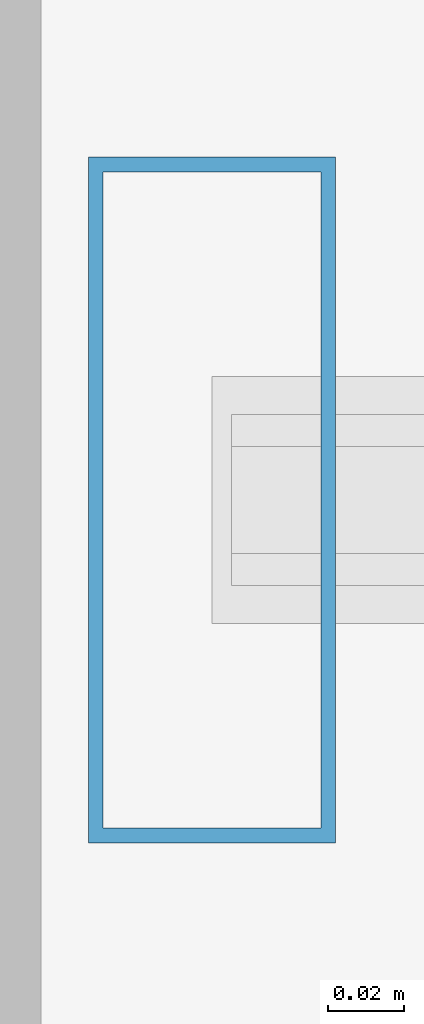
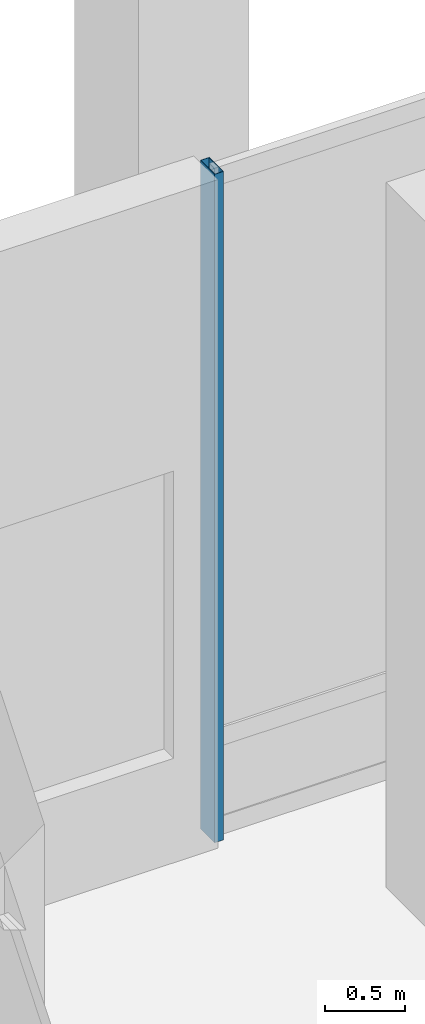
# One storey, part 15 of 36: 1 member, 1 element without a shape of its own.
"""IFC4 building model written with IfcOpenShell, lengths in metres."""

from ifc_helpers import new_model, si_unit, direction, frame, origin, origin_2d, place, context, subcontext, project, spatial, hollow_rectangle, extrude, material, layer, layer_set, material_profile, profile_set, type_object, element, aggregate, save


model = new_model("IFC4")

# Units and contexts
model_context = context("Model", 3, precision=1e-05, world=origin(), true_north=direction((0.0, 1.0)))
body_context = subcontext(model_context, "Body", "Model", "MODEL_VIEW")
ifc_project = project(units=[si_unit("LENGTHUNIT", "METRE"), si_unit("AREAUNIT", "SQUARE_METRE"), si_unit("VOLUMEUNIT", "CUBIC_METRE"), si_unit("PLANEANGLEUNIT", "RADIAN"), si_unit("MASSUNIT", "GRAM", prefix="KILO")], contexts=[model_context])

# Site, building, storey
site_placement = place(None, origin())
site = spatial("IfcSite", under=ifc_project, at=site_placement, CompositionType="ELEMENT")
building_placement = place(site_placement, origin())
building = spatial("IfcBuilding", under=site, at=building_placement, Name="Barlavira Tower and Art Museum", CompositionType="ELEMENT")
storey_placement = place(building_placement, frame((0.0, 0.0, 11.39990234375)))
storey = spatial("IfcBuildingStorey", under=building, at=storey_placement, Name="L02", CompositionType="ELEMENT", Elevation=11.39990234375)

# Curtain wall, member
ifc_material_1 = material(Name="Low-iron coastal laminated glass", Category="glass")
ifc_layer = layer(ifc_material_1, 0.179931640625, Name="Low-iron coastal laminated glass")
ifc_layer_set = layer_set([ifc_layer], Name="Low-iron coastal laminated glass")
curtain_wall_type = type_object("IfcCurtainWallType", Name="Pale-Metal Unitised Curtain Wall Zone 1", PredefinedType="NOTDEFINED", material=ifc_layer_set)
curtain_wall_placement = place(storey_placement, origin())
curtain_wall = element("IfcCurtainWall", 1, at=curtain_wall_placement, inside=storey, type_object=curtain_wall_type, Name="L02 Curtain Wall CW1-L02-N", PredefinedType="NOTDEFINED")
ifc_material_2 = material(Name="Pale anodised aluminium", Category="aluminium")
ifc_material_profile = material_profile(ifc_material_2, hollow_rectangle(XDim=0.06494140625, YDim=0.179931640625, WallThickness=0.00390625, at=origin_2d()), Name="ALU-MULL 65x180x4")
ifc_profile_set = profile_set([ifc_material_profile], Name="Pale anodised aluminium")
member_type = type_object("IfcMemberType", Name="Curtain Wall Pale-Metal Mullion 65x180", PredefinedType="MULLION", material=ifc_profile_set)
member_placement = place(storey_placement, frame((-7.955078125, 21.85009765625, 0.0), z_axis=(0.0, 0.0, 1.0), x_axis=(-1.0, 0.0, 0.0)))
member = element("IfcMember", 2, at=member_placement, type_object=member_type, Name="CW1-L02-N Mullion 4", PredefinedType="MULLION", context=body_context, shape_type="SweptSolid", body=[
    extrude(hollow_rectangle(XDim=0.06494140625, YDim=0.179931640625, WallThickness=0.00390625, at=origin_2d()), origin(), (0.0, 0.0, 1.0), 5.1201171875),
])
aggregate(curtain_wall, [member])

save(model, "model.ifc")
